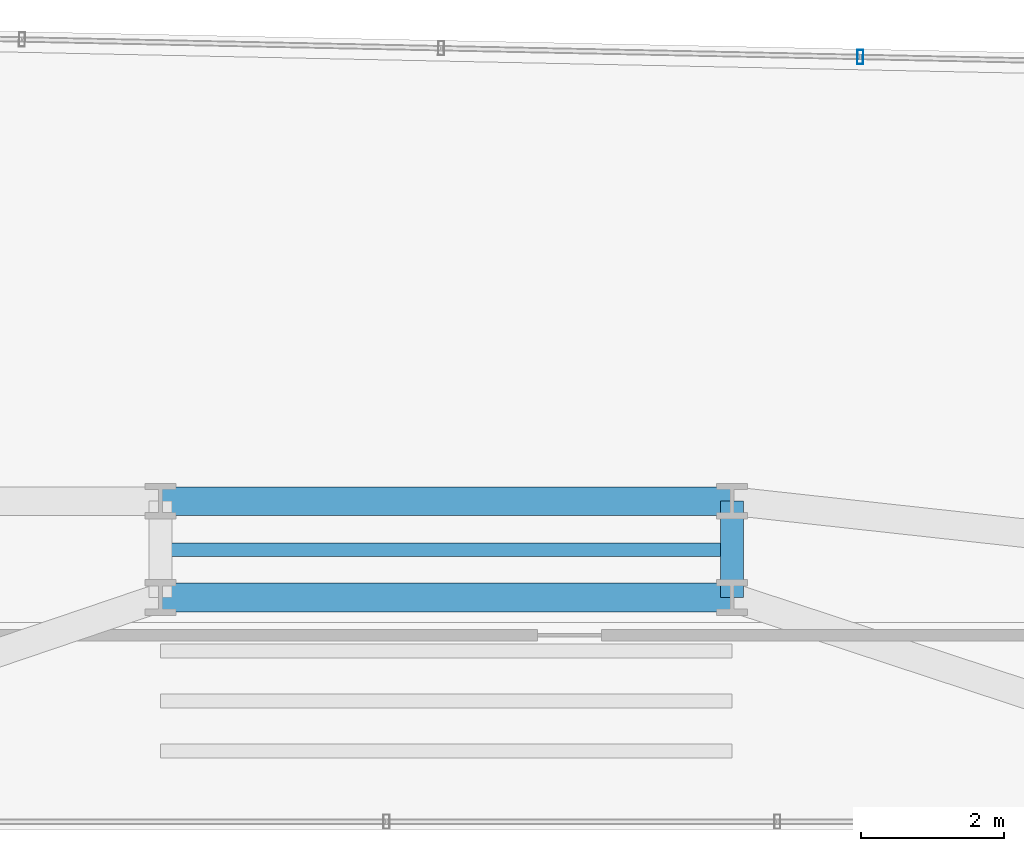
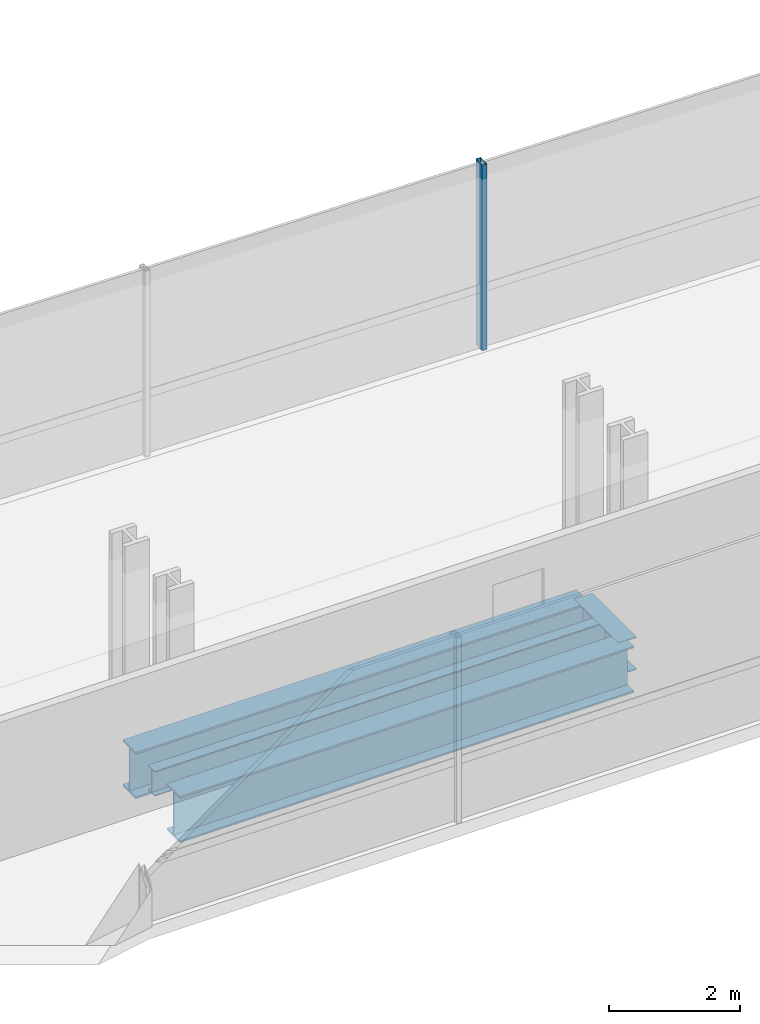
# One storey, part 20 of 39: 4 beams, 1 member, 1 element without a shape of its own.
"""IFC4 building model written with IfcOpenShell, lengths in metres."""

import ifcopenshell
import ifcopenshell.guid

model = None  # the IFC model being written
_history = None  # IfcOwnerHistory: only IFC2X3 demands one
_inside = {}  # id of a spatial element -> (the spatial element, [elements in it])
_under = {}  # id of a project, library or spatial element -> (it, [spatial elements below it])
_declared = {}  # id of a project -> (the project, [libraries it declares])
_typed = {}  # id of a type object -> (the type object, [elements of that type])
_made_of = {}  # id of a material, layer set ... -> (it, [elements and type objects made of it])


def new_model(schema):
    """Start an empty IFC model of exactly this schema.

    Asked for "IFC4X3", IfcOpenShell would pick the latest addendum, in which some entities
    have other attributes; the version numbers below select the first issue.
    IFC2X3 requires an IfcOwnerHistory on every rooted entity: one is made here for all.
    """
    global model, _history
    if schema == "IFC4X3":
        model = ifcopenshell.file(schema_version=(4, 3, 0, 0))
    else:
        model = ifcopenshell.file(schema=schema)
    _inside.clear()
    _under.clear()
    _declared.clear()
    _typed.clear()
    _made_of.clear()
    _history = None
    if model.schema == "IFC2X3":
        org = make("IfcOrganization", Name="unknown")
        user = make(
            "IfcPersonAndOrganization",
            ThePerson=make("IfcPerson", FamilyName="unknown"),
            TheOrganization=org,
        )
        app = make(
            "IfcApplication",
            ApplicationDeveloper=org,
            Version="unknown",
            ApplicationFullName="unknown",
            ApplicationIdentifier="unknown",
        )
        _history = make(
            "IfcOwnerHistory",
            OwningUser=user,
            OwningApplication=app,
            ChangeAction="ADDED",
            CreationDate=0,
        )
    return model


def make(cls, **values):
    """One entity of the class cls with the attributes given. An attribute that is None is left unset."""
    return model.create_entity(
        cls, **{name: value for name, value in values.items() if value is not None}
    )


def rooted(cls, **values):
    """An entity with a GlobalId (a new one), such as an element, a storey or a relation."""
    return make(cls, GlobalId=ifcopenshell.guid.new(), OwnerHistory=_history, **values)


def si_unit(unit_type, name, prefix=None):
    """IfcSIUnit, for example si_unit("LENGTHUNIT", "METRE", prefix="MILLI")."""
    return make("IfcSIUnit", UnitType=unit_type, Prefix=prefix, Name=name)


def assignment(units):
    """IfcUnitAssignment: the units of a project."""
    return None if units is None else make("IfcUnitAssignment", Units=units)


def point(xyz):
    """IfcCartesianPoint."""
    return None if xyz is None else make("IfcCartesianPoint", Coordinates=xyz)


def direction(xyz):
    """IfcDirection."""
    return None if xyz is None else make("IfcDirection", DirectionRatios=xyz)


def frame(location, z_axis=None, x_axis=None):
    """IfcAxis2Placement3D, a coordinate frame: its origin and axes. An axis left out is left unset."""
    return make(
        "IfcAxis2Placement3D",
        Location=point(location),
        Axis=direction(z_axis),
        RefDirection=direction(x_axis),
    )


def frame_2d(location, x_axis=None):
    """IfcAxis2Placement2D, a coordinate frame in the plane: its origin and x axis."""
    return make(
        "IfcAxis2Placement2D", Location=point(location), RefDirection=direction(x_axis)
    )


def origin():
    """The frame at (0, 0, 0) with its axes left unset."""
    return frame((0.0, 0.0, 0.0))


def origin_2d():
    """The frame at (0, 0) in the plane with its x axis left unset."""
    return frame_2d((0.0, 0.0))


def place(relative_to, where):
    """IfcLocalPlacement: puts the frame where relative to a parent placement (None: the world)."""
    return make(
        "IfcLocalPlacement", PlacementRelTo=relative_to, RelativePlacement=where
    )


def context(
    kind, dimensions, precision=None, world=None, true_north=None, identifier=None
):
    """IfcGeometricRepresentationContext, for example the 3D "Model" context."""
    return make(
        "IfcGeometricRepresentationContext",
        ContextIdentifier=identifier,
        ContextType=kind,
        CoordinateSpaceDimension=dimensions,
        Precision=precision,
        WorldCoordinateSystem=world,
        TrueNorth=true_north,
    )


def subcontext(parent, identifier, kind, view, scale=None):
    """IfcGeometricRepresentationSubContext, for example "Body" below "Model"."""
    return make(
        "IfcGeometricRepresentationSubContext",
        ContextIdentifier=identifier,
        ContextType=kind,
        ParentContext=parent,
        TargetScale=scale,
        TargetView=view,
    )


def project(units=None, contexts=None):
    """IfcProject with its units and contexts."""
    return rooted(
        "IfcProject",
        Name="project",
        RepresentationContexts=contexts,
        UnitsInContext=assignment(units),
    )


def spatial(cls, under=None, at=None, **own):
    """A site, building, storey or space (cls), placed at a placement, below another one or the project."""
    s = rooted(cls, ObjectPlacement=at, **own)
    if under is not None:
        _under.setdefault(under.id(), (under, []))[1].append(s)
    return s


def profile(cls, at=None, kind="AREA", **sizes):
    """A parametric profile (cls). Its sizes go by their IFC names, for example OverallWidth=200.0."""
    return make(cls, ProfileType=kind, Position=at, **sizes)


def hollow_rectangle(**sizes):
    """IfcRectangleHollowProfileDef."""
    return profile("IfcRectangleHollowProfileDef", **sizes)


def i_section(**sizes):
    """IfcIShapeProfileDef."""
    return profile("IfcIShapeProfileDef", **sizes)


def extrude(swept, where, along, depth):
    """IfcExtrudedAreaSolid: the profile swept, set in the frame where, extruded along a direction by depth."""
    return make(
        "IfcExtrudedAreaSolid",
        SweptArea=swept,
        Position=where,
        ExtrudedDirection=direction(along),
        Depth=depth,
    )


def shape(context_of_items, identifier, shape_type, items):
    """IfcShapeRepresentation: the items that make up one representation, for example the "Body"."""
    return make(
        "IfcShapeRepresentation",
        ContextOfItems=context_of_items,
        RepresentationIdentifier=identifier,
        RepresentationType=shape_type,
        Items=items,
    )


def source(mapping_origin, context_of_items, identifier, shape_type, items):
    """IfcRepresentationMap: a shape defined once, which mapped items show again and again."""
    return make(
        "IfcRepresentationMap",
        MappingOrigin=mapping_origin,
        MappedRepresentation=shape(context_of_items, identifier, shape_type, items),
    )


def transform(
    local_origin,
    x_axis=None,
    y_axis=None,
    z_axis=None,
    scale=None,
    scale2=None,
    scale3=None,
    uniform=True,
):
    """IfcCartesianTransformationOperator3D, or its non-uniform kind. x_axis, y_axis, z_axis: its Axis1, 2, 3."""
    if uniform:
        return make(
            "IfcCartesianTransformationOperator3D",
            Axis1=direction(x_axis),
            Axis2=direction(y_axis),
            LocalOrigin=point(local_origin),
            Scale=scale,
            Axis3=direction(z_axis),
        )
    return make(
        "IfcCartesianTransformationOperator3DnonUniform",
        Axis1=direction(x_axis),
        Axis2=direction(y_axis),
        LocalOrigin=point(local_origin),
        Scale=scale,
        Axis3=direction(z_axis),
        Scale2=scale2,
        Scale3=scale3,
    )


def mapped(mapping_source, mapping_target):
    """IfcMappedItem: shows the shape of a source again, moved by a transform."""
    return make(
        "IfcMappedItem", MappingSource=mapping_source, MappingTarget=mapping_target
    )


def material(Name=None, Category=None):
    """IfcMaterial."""
    return make("IfcMaterial", Name=Name, Category=Category)


def material_profile(
    of_material, cross_section, Name=None, Category=None, Priority=None
):
    """IfcMaterialProfile: a cross section and its material."""
    return make(
        "IfcMaterialProfile",
        Name=Name,
        Material=of_material,
        Profile=cross_section,
        Priority=Priority,
        Category=Category,
    )


def profile_set(profiles, Name=None, composite=None):
    """IfcMaterialProfileSet."""
    return make(
        "IfcMaterialProfileSet",
        Name=Name,
        MaterialProfiles=profiles,
        CompositeProfile=composite,
    )


def made_of(thing, what):
    """Note that an element or type object is made of a material, layer set ...; save() writes the relation."""
    if what is not None:
        _made_of.setdefault(what.id(), (what, []))[1].append(thing)
    return thing


def type_object(cls, material=None, **own):
    """A type object (cls), such as IfcWallType, which elements share."""
    return made_of(rooted(cls, **own), material)


def element(
    cls,
    number,
    at=None,
    inside=None,
    cuts=None,
    type_object=None,
    material=None,
    context=None,
    identifier="Body",
    shape_type=None,
    held_by="IfcProductDefinitionShape",
    body=None,
    shapes=None,
    **own,
):
    """One element of the class cls, such as IfcWall. Its Tag is "e" and its number.

    at: its placement. inside: the storey or other place that contains it. cuts: it is an
    opening in that element (IfcRelVoidsElement). A single representation is given by context,
    identifier, shape_type and body (its items); several are given by shapes. held_by: the class
    of the entity that holds the representations. save() writes the other relations.
    """
    e = rooted(cls, Tag="e%d" % number, ObjectPlacement=at, **own)
    if body is not None:
        shapes = [shape(context, identifier, shape_type, body)]
    if shapes is not None:
        e.Representation = make(held_by, Representations=shapes)
    if inside is not None:
        _inside.setdefault(inside.id(), (inside, []))[1].append(e)
    if cuts is not None:
        rooted(
            "IfcRelVoidsElement", RelatingBuildingElement=cuts, RelatedOpeningElement=e
        )
    if type_object is not None:
        _typed.setdefault(type_object.id(), (type_object, []))[1].append(e)
    return made_of(e, material)


def aggregate(whole, parts):
    """IfcRelAggregates: a whole, such as a stair, and the parts it consists of."""
    return rooted("IfcRelAggregates", RelatingObject=whole, RelatedObjects=parts)


def save(model, path):
    """Write the relations noted so far, then the file.

    IfcRelAggregates (storeys below a building ...), IfcRelContainedInSpatialStructure (elements
    in a storey), IfcRelDefinesByType, IfcRelAssociatesMaterial and IfcRelDeclares: one each for
    every whole, place, type object, material and project.
    """
    for whole, parts in _under.values():
        aggregate(whole, parts)
    for where, things in _inside.values():
        rooted(
            "IfcRelContainedInSpatialStructure",
            RelatedElements=things,
            RelatingStructure=where,
        )
    for kind, things in _typed.values():
        rooted("IfcRelDefinesByType", RelatedObjects=things, RelatingType=kind)
    for what, things in _made_of.values():
        rooted("IfcRelAssociatesMaterial", RelatedObjects=things, RelatingMaterial=what)
    for by, libraries in _declared.values():
        rooted("IfcRelDeclares", RelatingContext=by, RelatedDefinitions=libraries)
    model.write(path)


model = new_model("IFC4")

# Units and contexts
model_context = context("Model", 3, precision=1e-05, world=origin(), true_north=direction((0.0, 1.0)))
body_context = subcontext(model_context, "Body", "Model", "MODEL_VIEW")
ifc_project = project(units=[si_unit("LENGTHUNIT", "METRE"), si_unit("AREAUNIT", "SQUARE_METRE"), si_unit("VOLUMEUNIT", "CUBIC_METRE"), si_unit("PLANEANGLEUNIT", "RADIAN"), si_unit("MASSUNIT", "GRAM", prefix="KILO")], contexts=[model_context])

# Site, building, storey
site_placement = place(None, origin())
site = spatial("IfcSite", under=ifc_project, at=site_placement, CompositionType="ELEMENT")
building_placement = place(site_placement, origin())
building = spatial("IfcBuilding", under=site, at=building_placement, Name="Valdorenza Pilgrim Sanctuary Tower", CompositionType="ELEMENT")
storey_placement = place(building_placement, frame((0.0, 0.0, 74.10009765625)))
storey = spatial("IfcBuildingStorey", under=building, at=storey_placement, Name="L18", CompositionType="ELEMENT", Elevation=74.10009765625)

# Beams
ifc_material_1 = material(Name="Steel ASTM A992 Grade 50", Category="steel")
ifc_material_profile_1 = material_profile(ifc_material_1, i_section(OverallWidth=0.39990234375, OverallDepth=0.862060546875, WebThickness=0.019775390625, FlangeThickness=0.032470703125, at=origin_2d()), Name="W33X221")
ifc_profile_set_1 = profile_set([ifc_material_profile_1], Name="Steel ASTM A992 Grade 50")
beam_type_1 = type_object("IfcBeamType", Name="STR-BM-GRD-W33", PredefinedType="BEAM", material=ifc_profile_set_1)
shared_shape_1 = source(origin(), body_context, "Body", "SweptSolid", [
    extrude(i_section(OverallWidth=0.39990234375, OverallDepth=0.862060546875, WebThickness=0.019775390625, FlangeThickness=0.032470703125, at=origin_2d()), origin(), (0.0, 0.0, 1.0), 8.0),
])
for number, where, z_axis, x_axis, name in (
    (1, (-4.0, 13.449951171875, -0.671142578125), (1.0, 0.0, 0.0), (0.0, 1.0, 0.0), "L18 Floor Girder KNK-G2"),
    (2, (-4.0, 14.800048828125, -0.671142578125), (1.0, 0.0, 0.0), (0.0, 1.0, 0.0), "L18 Floor Girder KNK-G5"),
):
    element("IfcBeam", number, at=place(storey_placement, frame(where, z_axis=z_axis, x_axis=x_axis)), inside=storey, type_object=beam_type_1, Name=name, PredefinedType="BEAM", context=body_context, shape_type="MappedRepresentation", body=[
        mapped(shared_shape_1, transform((0.0, 0.0, 0.0), x_axis=(1.0, 0.0, 0.0), y_axis=(0.0, 1.0, 0.0), z_axis=(0.0, 0.0, 1.0), scale=1.0)),
    ])
ifc_material_profile_2 = material_profile(ifc_material_1, i_section(OverallWidth=0.323974609375, OverallDepth=0.611083984375, WebThickness=0.0126953125, FlangeThickness=0.01904296875, at=origin_2d()), Name="W24X104")
ifc_profile_set_2 = profile_set([ifc_material_profile_2], Name="Steel ASTM A992 Grade 50")
beam_type_2 = type_object("IfcBeamType", Name="STR-BM-GRD-W24B", PredefinedType="BEAM", material=ifc_profile_set_2)
shared_shape_2 = source(origin(), body_context, "Body", "SweptSolid", [
    extrude(i_section(OverallWidth=0.323974609375, OverallDepth=0.611083984375, WebThickness=0.0126953125, FlangeThickness=0.01904296875, at=origin_2d()), origin(), (0.0, 0.0, 1.0), 1.35009765625),
])
beam_1_placement = place(storey_placement, frame((4.0, 13.449951171875, -0.545654296875), z_axis=(0.0, 1.0, 0.0), x_axis=(-1.0, 0.0, 0.0)))
element("IfcBeam", 3, at=beam_1_placement, inside=storey, type_object=beam_type_2, Name="L18 Floor Girder KNK-TIE-E", PredefinedType="BEAM", context=body_context, shape_type="MappedRepresentation", body=[
    mapped(shared_shape_2, transform((0.0, 0.0, 0.0), x_axis=(1.0, 0.0, 0.0), y_axis=(0.0, 1.0, 0.0), z_axis=(0.0, 0.0, 1.0), scale=1.0)),
])
ifc_material_profile_3 = material_profile(ifc_material_1, i_section(OverallWidth=0.193115234375, OverallDepth=0.466064453125, WebThickness=0.011474609375, FlangeThickness=0.01904296875, at=origin_2d()), Name="W18X65")
ifc_profile_set_3 = profile_set([ifc_material_profile_3], Name="Steel ASTM A992 Grade 50")
beam_type_3 = type_object("IfcBeamType", Name="STR-BM-JST-W18A", PredefinedType="JOIST", material=ifc_profile_set_3)
shared_shape_3 = source(origin(), body_context, "Body", "SweptSolid", [
    extrude(i_section(OverallWidth=0.193115234375, OverallDepth=0.466064453125, WebThickness=0.011474609375, FlangeThickness=0.01904296875, at=origin_2d()), origin(), (0.0, 0.0, 1.0), 8.0),
])
beam_2_placement = place(storey_placement, frame((-4.0, 14.1201171875, -0.47314453125), z_axis=(1.0, 0.0, 0.0), x_axis=(0.0, 1.0, 0.0)))
element("IfcBeam", 4, at=beam_2_placement, inside=storey, type_object=beam_type_3, Name="L18 Knuckle Composite Joist JST-KNK-4", PredefinedType="JOIST", context=body_context, shape_type="MappedRepresentation", body=[
    mapped(shared_shape_3, transform((0.0, 0.0, 0.0), x_axis=(1.0, 0.0, 0.0), y_axis=(0.0, 1.0, 0.0), z_axis=(0.0, 0.0, 1.0), scale=1.0)),
])

# Curtain wall, member
ifc_material_2 = material(Name="Curtain-wall IGU glazing", Category="glass")
curtain_wall_type = type_object("IfcCurtainWallType", Name="CW-SYS-02", PredefinedType="NOTDEFINED", material=ifc_material_2)
curtain_wall_placement = place(storey_placement, origin())
curtain_wall = element("IfcCurtainWall", 5, at=curtain_wall_placement, inside=storey, type_object=curtain_wall_type, Name="L18 Curtain Wall CW-L18-1-11", PredefinedType="NOTDEFINED")
ifc_material_3 = material(Name="Anodised aluminium AW-6060", Category="aluminium")
ifc_material_profile_4 = material_profile(ifc_material_3, hollow_rectangle(XDim=0.0849609375, YDim=0.199951171875, WallThickness=0.0048828125, at=origin_2d()), Name="ALU-M 200x85x5")
ifc_profile_set_4 = profile_set([ifc_material_profile_4], Name="Anodised aluminium AW-6060")
member_type = type_object("IfcMemberType", Name="CW-MUL-02", PredefinedType="MULLION", material=ifc_profile_set_4)
shared_shape_4 = source(origin(), body_context, "Body", "SweptSolid", [
    extrude(hollow_rectangle(XDim=0.0849609375, YDim=0.199951171875, WallThickness=0.0048828125, at=origin_2d()), origin(), (0.0, 0.0, 1.0), 3.4599609375),
])
member_placement = place(storey_placement, frame((5.797119140625, 21.019287109375, 0.0), z_axis=(0.0, 0.0, 1.0), x_axis=(0.999783234613, -0.020820273474, 0.0)))
member = element("IfcMember", 6, at=member_placement, type_object=member_type, Name="CW-L18-1-11 Mullion 4", PredefinedType="MULLION", context=body_context, shape_type="MappedRepresentation", body=[
    mapped(shared_shape_4, transform((0.0, 0.0, 0.0), x_axis=(1.0, 0.0, 0.0), y_axis=(0.0, 1.0, 0.0), z_axis=(0.0, 0.0, 1.0), scale=1.0)),
])
aggregate(curtain_wall, [member])

save(model, "model.ifc")
